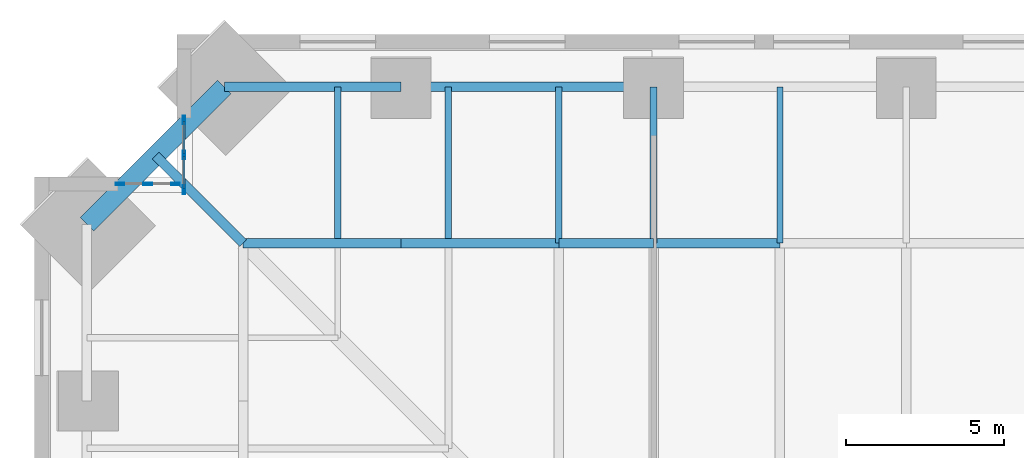
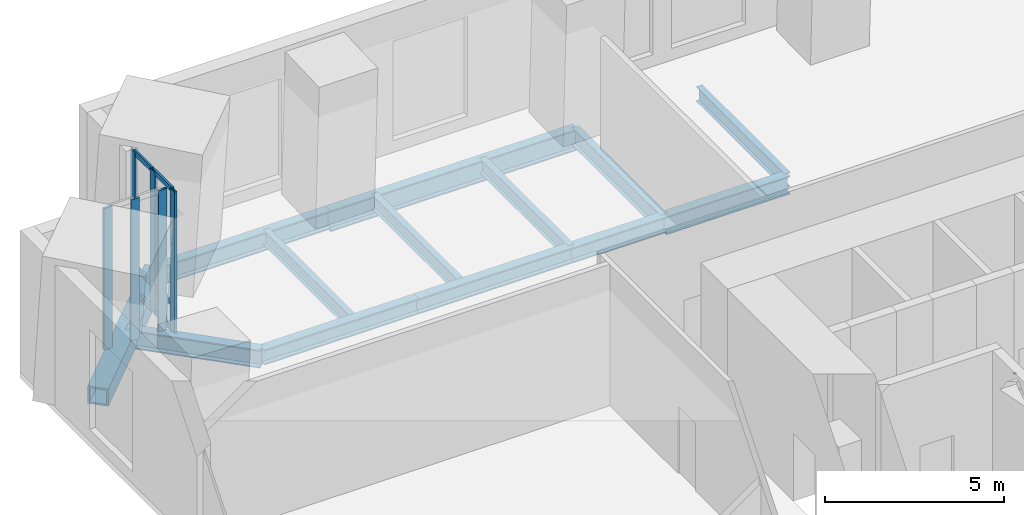
# One storey, part 6 of 18: 13 beams, 12 members, 2 elements without a shape of their own.
"""IFC4 building model written with IfcOpenShell, lengths in metres."""

from ifc_helpers import new_model, si_unit, direction, frame, origin, origin_2d, place, context, subcontext, project, spatial, hollow_rectangle, i_section, extrude, material, material_profile, profile_set, type_object, element, aggregate, save


model = new_model("IFC4")

# Units and contexts
model_context = context("Model", 3, precision=1e-05, world=origin(), true_north=direction((0.0, 1.0)))
body_context = subcontext(model_context, "Body", "Model", "MODEL_VIEW")
ifc_project = project(units=[si_unit("LENGTHUNIT", "METRE"), si_unit("AREAUNIT", "SQUARE_METRE"), si_unit("VOLUMEUNIT", "CUBIC_METRE"), si_unit("PLANEANGLEUNIT", "RADIAN"), si_unit("MASSUNIT", "GRAM", prefix="KILO")], contexts=[model_context])

# Site, building, storey
site_placement = place(None, origin())
site = spatial("IfcSite", under=ifc_project, at=site_placement, CompositionType="ELEMENT")
building_placement = place(site_placement, origin())
building = spatial("IfcBuilding", under=site, at=building_placement, Name="Peilmerk Tower", CompositionType="ELEMENT")
storey_placement = place(building_placement, frame((0.0, 0.0, 122.800048828125)))
storey = spatial("IfcBuildingStorey", under=building, at=storey_placement, Name="L24", CompositionType="ELEMENT", Elevation=122.800048828125)

# Beams
ifc_material_1 = material(Name="Steel S355", Category="steel")
ifc_material_profile_1 = material_profile(ifc_material_1, i_section(OverallWidth=0.219970703125, OverallDepth=0.60009765625, WebThickness=0.011962890625, FlangeThickness=0.01904296875, at=origin_2d()), Name="IPE 600")
ifc_profile_set_1 = profile_set([ifc_material_profile_1], Name="Steel S355")
beam_type_1 = type_object("IfcBeamType", Name="B10 IPE 600 floor beam", PredefinedType="BEAM", material=ifc_profile_set_1)
beam_1_placement = place(storey_placement, frame((-8.0, 21.0, -0.5), z_axis=(0.0, 1.0, 0.0), x_axis=(-1.0, 0.0, 0.0)))
element("IfcBeam", 1, at=beam_1_placement, inside=storey, type_object=beam_type_1, Name="Floor girder L24", PredefinedType="BEAM", context=body_context, shape_type="SweptSolid", body=[
    extrude(i_section(OverallWidth=0.219970703125, OverallDepth=0.60009765625, WebThickness=0.011962890625, FlangeThickness=0.01904296875, at=origin_2d()), origin(), (0.0, 0.0, 1.0), 4.945068359375),
])
ifc_material_2 = material(Name="Steel S460", Category="steel")
ifc_material_profile_2 = material_profile(ifc_material_2, hollow_rectangle(XDim=0.60009765625, YDim=0.60009765625, WallThickness=0.06005859375, at=origin_2d()), Name="BOX 600x600x60")
ifc_profile_set_2 = profile_set([ifc_material_profile_2], Name="Steel S460")
beam_type_2 = type_object("IfcBeamType", Name="B20 BOX 600x600x60 notch beam", PredefinedType="SPANDREL", material=ifc_profile_set_2)
beam_2_placement = place(storey_placement, frame((-25.945068359375, 21.59521484375, -0.5), z_axis=(0.707106781187, 0.707106781187, 0.0), x_axis=(-0.707106781187, 0.707106781187, 0.0)))
element("IfcBeam", 2, at=beam_2_placement, inside=storey, type_object=beam_type_2, Name="Notch beam L24", PredefinedType="SPANDREL", context=body_context, shape_type="SweptSolid", body=[
    extrude(hollow_rectangle(XDim=0.60009765625, YDim=0.60009765625, WallThickness=0.06005859375, at=origin_2d()), origin(), (0.0, 0.0, 1.0), 6.151611328125),
])
ifc_material_profile_3 = material_profile(ifc_material_1, i_section(OverallWidth=0.303955078125, OverallDepth=0.716064453125, WebThickness=0.02099609375, FlangeThickness=0.0400390625, at=origin_2d()), Name="HEM 700")
ifc_profile_set_3 = profile_set([ifc_material_profile_3], Name="Steel S355")
beam_type_3 = type_object("IfcBeamType", Name="B30 HEM 700 edge beam", PredefinedType="SPANDREL", material=ifc_profile_set_3)
beam_3_placement = place(storey_placement, frame((-8.0, 25.945068359375, -0.55810546875), z_axis=(-1.0, 0.0, 0.0), x_axis=(0.0, -1.0, 0.0)))
element("IfcBeam", 3, at=beam_3_placement, inside=storey, type_object=beam_type_3, Name="Edge beam L24", PredefinedType="SPANDREL", context=body_context, shape_type="SweptSolid", body=[
    extrude(i_section(OverallWidth=0.303955078125, OverallDepth=0.716064453125, WebThickness=0.02099609375, FlangeThickness=0.0400390625, at=origin_2d()), origin(), (0.0, 0.0, 1.0), 8.0),
])
ifc_material_profile_4 = material_profile(ifc_material_1, i_section(OverallWidth=0.304931640625, OverallDepth=0.6201171875, WebThickness=0.02099609375, FlangeThickness=0.0400390625, at=origin_2d()), Name="HEM 600")
ifc_profile_set_4 = profile_set([ifc_material_profile_4], Name="Steel S355")
beam_type_4 = type_object("IfcBeamType", Name="B31 HEM 600 edge beam", PredefinedType="SPANDREL", material=ifc_profile_set_4)
beam_4_placement = place(storey_placement, frame((-16.0, 25.945068359375, -0.510009765625), z_axis=(-1.0, 0.0, 0.0), x_axis=(0.0, -1.0, 0.0)))
element("IfcBeam", 4, at=beam_4_placement, inside=storey, type_object=beam_type_4, Name="Edge beam L24", PredefinedType="SPANDREL", context=body_context, shape_type="SweptSolid", body=[
    extrude(i_section(OverallWidth=0.304931640625, OverallDepth=0.6201171875, WebThickness=0.02099609375, FlangeThickness=0.0400390625, at=origin_2d()), origin(), (0.0, 0.0, 1.0), 5.59521484375),
])
ifc_material_profile_5 = material_profile(ifc_material_1, i_section(OverallWidth=0.199951171875, OverallDepth=0.5, WebThickness=0.01025390625, FlangeThickness=0.01611328125, at=origin_2d()), Name="IPE 500")
ifc_profile_set_5 = profile_set([ifc_material_profile_5], Name="Steel S355")
beam_type_5 = type_object("IfcBeamType", Name="B32 IPE 500 floor beam", PredefinedType="BEAM", material=ifc_profile_set_5)
for number, where, z_axis, x_axis, name in (
    (5, (-4.0, 21.0, -0.449951171875), (0.0, 1.0, 0.0), (-1.0, 0.0, 0.0), "Floor beam L24"),
    (6, (-11.0, 21.0, -0.449951171875), (0.0, 1.0, 0.0), (-1.0, 0.0, 0.0), "Floor beam L24"),
):
    element("IfcBeam", number, at=place(storey_placement, frame(where, z_axis=z_axis, x_axis=x_axis)), inside=storey, type_object=beam_type_5, Name=name, PredefinedType="BEAM", context=body_context, shape_type="SweptSolid", body=[
        extrude(i_section(OverallWidth=0.199951171875, OverallDepth=0.5, WebThickness=0.01025390625, FlangeThickness=0.01611328125, at=origin_2d()), origin(), (0.0, 0.0, 1.0), 4.945068359375),
    ])
for number, where, z_axis, x_axis, name in (
    (7, (-14.5, 21.153076171875, -0.449951171875), (0.0, 1.0, 0.0), (-1.0, 0.0, 0.0), "Floor beam L24"),
    (8, (-18.0, 21.153076171875, -0.449951171875), (0.0, 1.0, 0.0), (-1.0, 0.0, 0.0), "Floor beam L24"),
):
    element("IfcBeam", number, at=place(storey_placement, frame(where, z_axis=z_axis, x_axis=x_axis)), inside=storey, type_object=beam_type_5, Name=name, PredefinedType="BEAM", context=body_context, shape_type="SweptSolid", body=[
        extrude(i_section(OverallWidth=0.199951171875, OverallDepth=0.5, WebThickness=0.01025390625, FlangeThickness=0.01611328125, at=origin_2d()), origin(), (0.0, 0.0, 1.0), 4.7919921875),
    ])
ifc_material_profile_6 = material_profile(ifc_material_1, i_section(OverallWidth=0.304931640625, OverallDepth=0.6201171875, WebThickness=0.02099609375, FlangeThickness=0.0400390625, at=origin_2d()), Name="HEM 600")
ifc_profile_set_6 = profile_set([ifc_material_profile_6], Name="Steel S355")
beam_type_6 = type_object("IfcBeamType", Name="B6 HEM 600 ring girder", PredefinedType="BEAM", material=ifc_profile_set_6)
beam_5_placement = place(storey_placement, frame((-4.0, 21.0, -0.510009765625), z_axis=(-1.0, 0.0, 0.0), x_axis=(0.0, -1.0, 0.0)))
element("IfcBeam", 9, at=beam_5_placement, inside=storey, type_object=beam_type_6, Name="Ring girder L24", PredefinedType="BEAM", context=body_context, shape_type="SweptSolid", body=[
    extrude(i_section(OverallWidth=0.304931640625, OverallDepth=0.6201171875, WebThickness=0.02099609375, FlangeThickness=0.0400390625, at=origin_2d()), origin(), (0.0, 0.0, 1.0), 4.0),
])
beam_6_placement = place(storey_placement, frame((-21.0, 21.0, -0.510009765625), z_axis=(-0.707106781187, 0.707106781187, 0.0), x_axis=(-0.707106781187, -0.707106781187, 0.0)))
element("IfcBeam", 10, at=beam_6_placement, inside=storey, type_object=beam_type_6, Name="Corner girder L24", PredefinedType="BEAM", context=body_context, shape_type="SweptSolid", body=[
    extrude(i_section(OverallWidth=0.304931640625, OverallDepth=0.6201171875, WebThickness=0.02099609375, FlangeThickness=0.0400390625, at=origin_2d()), origin(), (0.0, 0.0, 1.0), 3.917724609375),
])
ifc_material_profile_7 = material_profile(ifc_material_1, i_section(OverallWidth=0.305908203125, OverallDepth=0.52392578125, WebThickness=0.02099609375, FlangeThickness=0.0400390625, at=origin_2d()), Name="HEM 500")
ifc_profile_set_7 = profile_set([ifc_material_profile_7], Name="Steel S355")
beam_type_7 = type_object("IfcBeamType", Name="B7 HEM 500 ring girder", PredefinedType="BEAM", material=ifc_profile_set_7)
beam_7_placement = place(storey_placement, frame((-8.0, 21.0, -0.462158203125), z_axis=(-1.0, 0.0, 0.0), x_axis=(0.0, -1.0, 0.0)))
element("IfcBeam", 11, at=beam_7_placement, inside=storey, type_object=beam_type_7, Name="Ring girder L24", PredefinedType="BEAM", context=body_context, shape_type="SweptSolid", body=[
    extrude(i_section(OverallWidth=0.305908203125, OverallDepth=0.52392578125, WebThickness=0.02099609375, FlangeThickness=0.0400390625, at=origin_2d()), origin(), (0.0, 0.0, 1.0), 3.0),
])
for number, where, z_axis, x_axis, name in (
    (12, (-11.0, 21.0, -0.462158203125), (-1.0, 0.0, 0.0), (0.0, -1.0, 0.0), "Ring girder L24"),
    (13, (-16.0, 21.0, -0.462158203125), (-1.0, 0.0, 0.0), (0.0, -1.0, 0.0), "Ring girder L24"),
):
    element("IfcBeam", number, at=place(storey_placement, frame(where, z_axis=z_axis, x_axis=x_axis)), inside=storey, type_object=beam_type_7, Name=name, PredefinedType="BEAM", context=body_context, shape_type="SweptSolid", body=[
        extrude(i_section(OverallWidth=0.305908203125, OverallDepth=0.52392578125, WebThickness=0.02099609375, FlangeThickness=0.0400390625, at=origin_2d()), origin(), (0.0, 0.0, 1.0), 5.0),
    ])

# Curtain wall, members
ifc_material_3 = material(Name="Aluminium stick curtain wall", Category="aluminium")
curtain_wall_type = type_object("IfcCurtainWallType", Name="CW2 stick curtain wall, 2250 module", PredefinedType="NOTDEFINED", material=ifc_material_3)
curtain_wall_1_placement = place(storey_placement, origin())
curtain_wall_1 = element("IfcCurtainWall", 14, at=curtain_wall_1_placement, inside=storey, type_object=curtain_wall_type, Name="Curtain wall CW2 NWA L24", PredefinedType="NOTDEFINED")
ifc_material_4 = material(Name="Aluminium EN AW-6063 T6", Category="aluminium")
ifc_material_profile_8 = material_profile(ifc_material_4, hollow_rectangle(XDim=0.080078125, YDim=0.27490234375, WallThickness=0.0048828125, at=origin_2d()), Name="AL 275x80x5")
ifc_profile_set_8 = profile_set([ifc_material_profile_8], Name="Aluminium EN AW-6063 T6")
member_type_1 = type_object("IfcMemberType", Name="CW2-M AL 275x80x5 mullion", PredefinedType="MULLION", material=ifc_profile_set_8)
member_1_placement = place(storey_placement, frame((-22.875, 22.68994140625, 0.0), z_axis=(0.0, 0.0, 1.0), x_axis=(-1.0, 0.0, 0.0)))
member_1 = element("IfcMember", 15, at=member_1_placement, type_object=member_type_1, Name="CW2 mullion 1", PredefinedType="MULLION", context=body_context, shape_type="SweptSolid", body=[
    extrude(hollow_rectangle(XDim=0.080078125, YDim=0.27490234375, WallThickness=0.0048828125, at=origin_2d()), origin(), (0.0, 0.0, 1.0), 4.829833984375),
])
member_2_placement = place(storey_placement, frame((-22.875, 23.79443359375, 0.0), z_axis=(0.0, 0.0, 1.0), x_axis=(-1.0, 0.0, 0.0)))
member_2 = element("IfcMember", 16, at=member_2_placement, type_object=member_type_1, Name="CW2 mullion 2", PredefinedType="MULLION", context=body_context, shape_type="SweptSolid", body=[
    extrude(hollow_rectangle(XDim=0.080078125, YDim=0.27490234375, WallThickness=0.0048828125, at=origin_2d()), origin(), (0.0, 0.0, 1.0), 4.829833984375),
])
member_3_placement = place(storey_placement, frame((-22.875, 24.898681640625, 0.0), z_axis=(0.0, 0.0, 1.0), x_axis=(-1.0, 0.0, 0.0)))
member_3 = element("IfcMember", 17, at=member_3_placement, type_object=member_type_1, Name="CW2 mullion 3", PredefinedType="MULLION", context=body_context, shape_type="SweptSolid", body=[
    extrude(hollow_rectangle(XDim=0.080078125, YDim=0.27490234375, WallThickness=0.0048828125, at=origin_2d()), origin(), (0.0, 0.0, 1.0), 4.829833984375),
])

curtain_wall_2_placement = place(storey_placement, origin())
curtain_wall_2 = element("IfcCurtainWall", 18, at=curtain_wall_2_placement, inside=storey, type_object=curtain_wall_type, Name="Curtain wall CW2 NWB L24", PredefinedType="NOTDEFINED")
member_4_placement = place(storey_placement, frame((-23.139892578125, 22.875, 0.0), z_axis=(0.0, 0.0, 1.0), x_axis=(0.0, -1.0, 0.0)))
member_4 = element("IfcMember", 19, at=member_4_placement, type_object=member_type_1, Name="CW2 mullion 1", PredefinedType="MULLION", context=body_context, shape_type="SweptSolid", body=[
    extrude(hollow_rectangle(XDim=0.080078125, YDim=0.27490234375, WallThickness=0.0048828125, at=origin_2d()), origin(), (0.0, 0.0, 1.0), 4.829833984375),
])
member_5_placement = place(storey_placement, frame((-24.019287109375, 22.875, 0.0), z_axis=(0.0, 0.0, 1.0), x_axis=(0.0, -1.0, 0.0)))
member_5 = element("IfcMember", 20, at=member_5_placement, type_object=member_type_1, Name="CW2 mullion 2", PredefinedType="MULLION", context=body_context, shape_type="SweptSolid", body=[
    extrude(hollow_rectangle(XDim=0.080078125, YDim=0.27490234375, WallThickness=0.0048828125, at=origin_2d()), origin(), (0.0, 0.0, 1.0), 4.829833984375),
])
member_6_placement = place(storey_placement, frame((-24.898681640625, 22.875, 0.0), z_axis=(0.0, 0.0, 1.0), x_axis=(0.0, -1.0, 0.0)))
member_6 = element("IfcMember", 21, at=member_6_placement, type_object=member_type_1, Name="CW2 mullion 3", PredefinedType="MULLION", context=body_context, shape_type="SweptSolid", body=[
    extrude(hollow_rectangle(XDim=0.080078125, YDim=0.27490234375, WallThickness=0.0048828125, at=origin_2d()), origin(), (0.0, 0.0, 1.0), 4.829833984375),
])
aggregate(curtain_wall_2, [member_4, member_5, member_6])

# Member
ifc_material_profile_9 = material_profile(ifc_material_4, hollow_rectangle(XDim=0.06494140625, YDim=0.179931640625, WallThickness=0.0029296875, at=origin_2d()), Name="AL 180x65x3")
ifc_profile_set_9 = profile_set([ifc_material_profile_9], Name="Aluminium EN AW-6063 T6")
member_type_2 = type_object("IfcMemberType", Name="CW2-T AL 180x65x3 transom", PredefinedType="USERDEFINED", material=ifc_profile_set_9)
member_7_placement = place(storey_placement, frame((-22.875, 22.72998046875, 0.032470703125), z_axis=(0.0, 1.0, 0.0), x_axis=(-1.0, 0.0, 0.0)))
member_7 = element("IfcMember", 22, at=member_7_placement, type_object=member_type_2, Name="CW2 transom 1.1", ObjectType="TRANSOM", PredefinedType="USERDEFINED", context=body_context, shape_type="SweptSolid", body=[
    extrude(hollow_rectangle(XDim=0.06494140625, YDim=0.179931640625, WallThickness=0.0029296875, at=origin_2d()), origin(), (0.0, 0.0, 1.0), 1.0244140625),
])

member_8_placement = place(storey_placement, frame((-22.875, 22.72998046875, 0.89990234375), z_axis=(0.0, 1.0, 0.0), x_axis=(-1.0, 0.0, 0.0)))
member_8 = element("IfcMember", 23, at=member_8_placement, type_object=member_type_2, Name="CW2 transom 1.2", ObjectType="TRANSOM", PredefinedType="USERDEFINED", context=body_context, shape_type="SweptSolid", body=[
    extrude(hollow_rectangle(XDim=0.06494140625, YDim=0.179931640625, WallThickness=0.0029296875, at=origin_2d()), origin(), (0.0, 0.0, 1.0), 1.0244140625),
])

member_9_placement = place(storey_placement, frame((-22.875, 22.72998046875, 4.79736328125), z_axis=(0.0, 1.0, 0.0), x_axis=(-1.0, 0.0, 0.0)))
member_9 = element("IfcMember", 24, at=member_9_placement, type_object=member_type_2, Name="CW2 transom 1.3", ObjectType="TRANSOM", PredefinedType="USERDEFINED", context=body_context, shape_type="SweptSolid", body=[
    extrude(hollow_rectangle(XDim=0.06494140625, YDim=0.179931640625, WallThickness=0.0029296875, at=origin_2d()), origin(), (0.0, 0.0, 1.0), 1.0244140625),
])

member_10_placement = place(storey_placement, frame((-22.875, 23.834228515625, 0.032470703125), z_axis=(0.0, 1.0, 0.0), x_axis=(-1.0, 0.0, 0.0)))
member_10 = element("IfcMember", 25, at=member_10_placement, type_object=member_type_2, Name="CW2 transom 2.1", ObjectType="TRANSOM", PredefinedType="USERDEFINED", context=body_context, shape_type="SweptSolid", body=[
    extrude(hollow_rectangle(XDim=0.06494140625, YDim=0.179931640625, WallThickness=0.0029296875, at=origin_2d()), origin(), (0.0, 0.0, 1.0), 1.0244140625),
])

member_11_placement = place(storey_placement, frame((-22.875, 23.834228515625, 0.89990234375), z_axis=(0.0, 1.0, 0.0), x_axis=(-1.0, 0.0, 0.0)))
member_11 = element("IfcMember", 26, at=member_11_placement, type_object=member_type_2, Name="CW2 transom 2.2", ObjectType="TRANSOM", PredefinedType="USERDEFINED", context=body_context, shape_type="SweptSolid", body=[
    extrude(hollow_rectangle(XDim=0.06494140625, YDim=0.179931640625, WallThickness=0.0029296875, at=origin_2d()), origin(), (0.0, 0.0, 1.0), 1.0244140625),
])

member_12_placement = place(storey_placement, frame((-22.875, 23.834228515625, 4.79736328125), z_axis=(0.0, 1.0, 0.0), x_axis=(-1.0, 0.0, 0.0)))
member_12 = element("IfcMember", 27, at=member_12_placement, type_object=member_type_2, Name="CW2 transom 2.3", ObjectType="TRANSOM", PredefinedType="USERDEFINED", context=body_context, shape_type="SweptSolid", body=[
    extrude(hollow_rectangle(XDim=0.06494140625, YDim=0.179931640625, WallThickness=0.0029296875, at=origin_2d()), origin(), (0.0, 0.0, 1.0), 1.0244140625),
])

aggregate(curtain_wall_1, [member_1, member_2, member_3, member_7, member_8, member_9, member_10, member_11, member_12])

save(model, "model.ifc")
